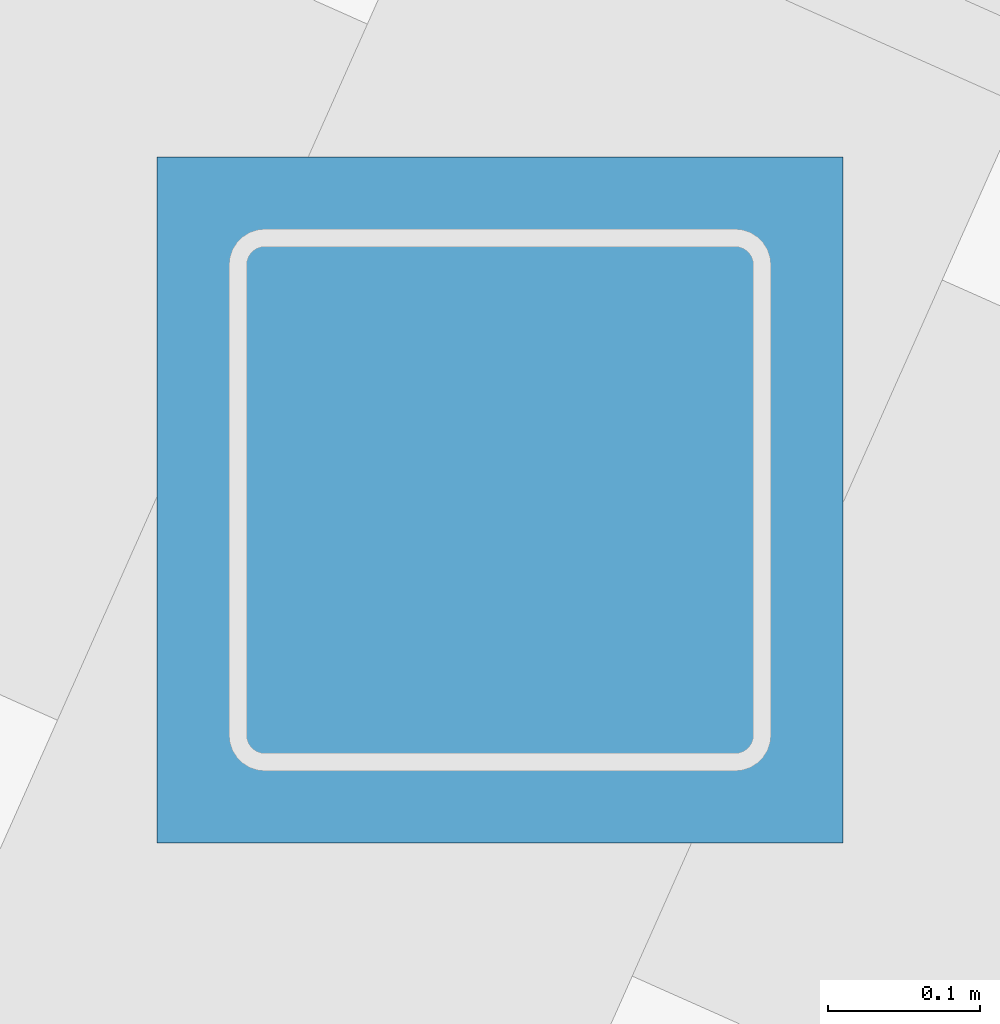
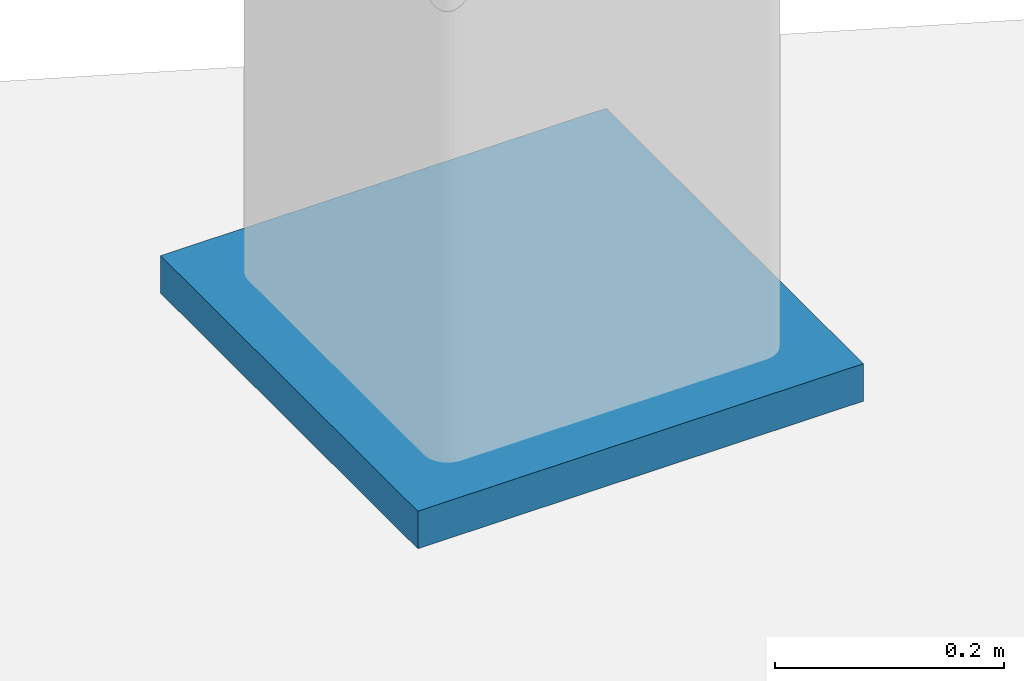
# One storey, part 21 of 26: 1 discrete accessory.
"""IFC4 building model written with IfcOpenShell, lengths in metres."""

from ifc_helpers import new_model, si_unit, direction, frame, origin, origin_2d, place, context, subcontext, project, spatial, rectangle, extrude, material, layer, layer_set, type_object, element, save


model = new_model("IFC4")

# Units and contexts
model_context = context("Model", 3, precision=1e-05, world=origin(), true_north=direction((0.0, 1.0)))
body_context = subcontext(model_context, "Body", "Model", "MODEL_VIEW")
ifc_project = project(units=[si_unit("LENGTHUNIT", "METRE"), si_unit("AREAUNIT", "SQUARE_METRE"), si_unit("VOLUMEUNIT", "CUBIC_METRE"), si_unit("PLANEANGLEUNIT", "RADIAN"), si_unit("MASSUNIT", "GRAM", prefix="KILO")], contexts=[model_context])

# Site, building, storey
site_placement = place(None, origin())
site = spatial("IfcSite", under=ifc_project, at=site_placement, CompositionType="ELEMENT")
building_placement = place(site_placement, origin())
building = spatial("IfcBuilding", under=site, at=building_placement, Name="Tramontana Tower", CompositionType="ELEMENT")
storey_placement = place(building_placement, frame((0.0, 0.0, 194.800048828125)))
storey = spatial("IfcBuildingStorey", under=building, at=storey_placement, Name="L45", CompositionType="ELEMENT", Elevation=194.800048828125)

# Discrete accessory
ifc_material = material(Name="Steel ASTM A572 Grade 50", Category="steel")
ifc_layer = layer(ifc_material, 0.0400390625)
ifc_layer_set = layer_set([ifc_layer], Name="Base plate 450X450X40")
discrete_accessory_type = type_object("IfcDiscreteAccessoryType", Name="Base plate 450X450X40", PredefinedType="ANCHORPLATE", material=ifc_layer_set)
discrete_accessory_placement = place(storey_placement, frame((25.01611328125, 6.978515625, 0.0), z_axis=(0.0, 0.0, 1.0), x_axis=(1.0, 0.0, 0.0)))
element("IfcDiscreteAccessory", 1, at=discrete_accessory_placement, inside=storey, type_object=discrete_accessory_type, Name="Transfer truss post base plate C5K5.1", PredefinedType="ANCHORPLATE", context=body_context, shape_type="SweptSolid", body=[
    extrude(rectangle(XDim=0.449951171875, YDim=0.449951171875, at=origin_2d()), origin(), (0.0, 0.0, 1.0), 0.0400390625),
])

save(model, "model.ifc")
